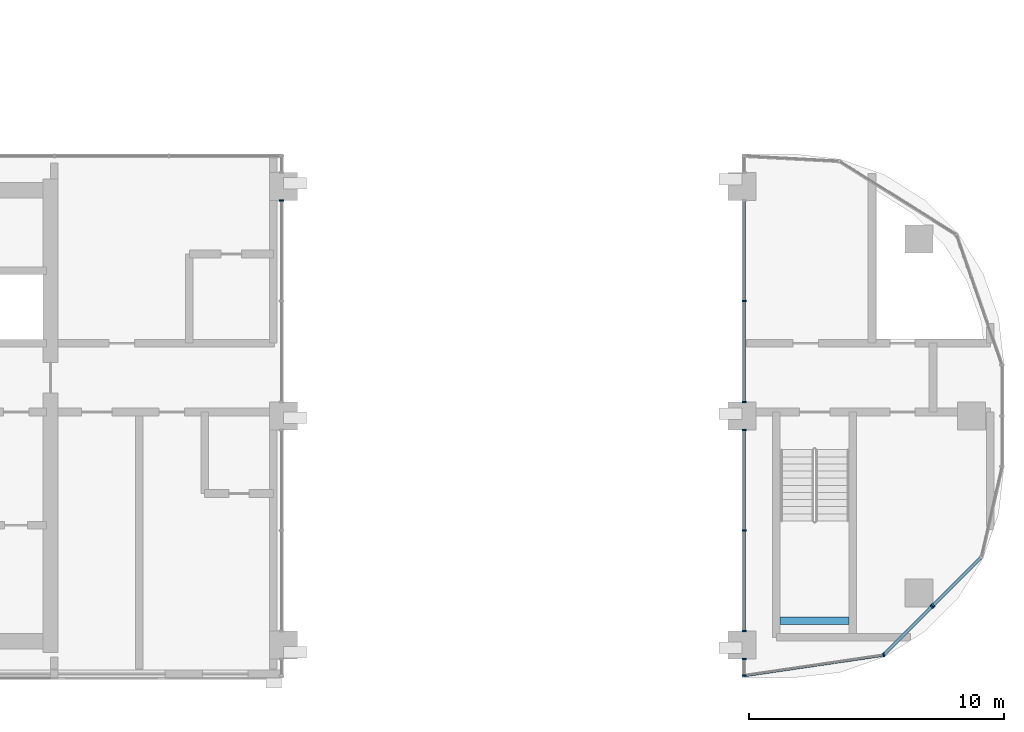
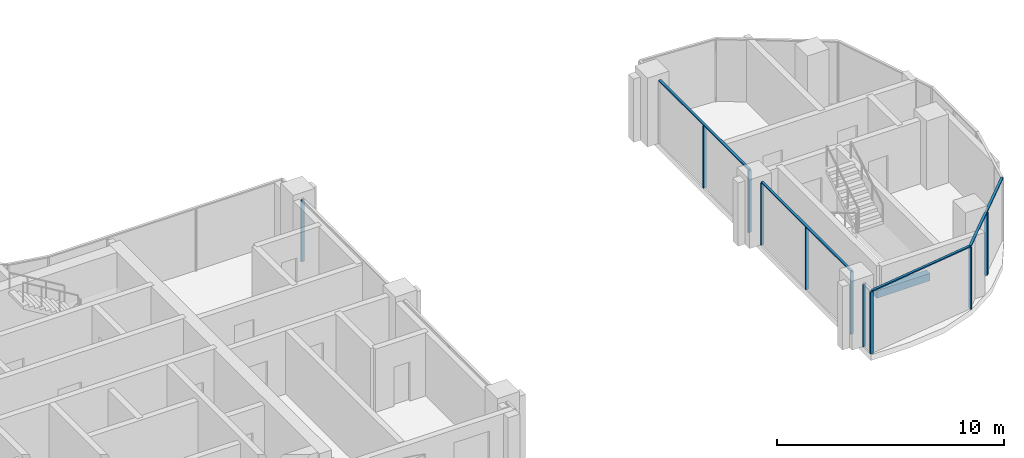
# One storey, part 3 of 23: 16 members, 1 beam, 6 elements without a shape of their own.
"""IFC4 building model written with IfcOpenShell, lengths in metres."""

import ifcopenshell
import ifcopenshell.guid

model = None  # the IFC model being written
_history = None  # IfcOwnerHistory: only IFC2X3 demands one
_inside = {}  # id of a spatial element -> (the spatial element, [elements in it])
_under = {}  # id of a project, library or spatial element -> (it, [spatial elements below it])
_declared = {}  # id of a project -> (the project, [libraries it declares])
_typed = {}  # id of a type object -> (the type object, [elements of that type])
_made_of = {}  # id of a material, layer set ... -> (it, [elements and type objects made of it])


def new_model(schema):
    """Start an empty IFC model of exactly this schema.

    Asked for "IFC4X3", IfcOpenShell would pick the latest addendum, in which some entities
    have other attributes; the version numbers below select the first issue.
    IFC2X3 requires an IfcOwnerHistory on every rooted entity: one is made here for all.
    """
    global model, _history
    if schema == "IFC4X3":
        model = ifcopenshell.file(schema_version=(4, 3, 0, 0))
    else:
        model = ifcopenshell.file(schema=schema)
    _inside.clear()
    _under.clear()
    _declared.clear()
    _typed.clear()
    _made_of.clear()
    _history = None
    if model.schema == "IFC2X3":
        org = make("IfcOrganization", Name="unknown")
        user = make(
            "IfcPersonAndOrganization",
            ThePerson=make("IfcPerson", FamilyName="unknown"),
            TheOrganization=org,
        )
        app = make(
            "IfcApplication",
            ApplicationDeveloper=org,
            Version="unknown",
            ApplicationFullName="unknown",
            ApplicationIdentifier="unknown",
        )
        _history = make(
            "IfcOwnerHistory",
            OwningUser=user,
            OwningApplication=app,
            ChangeAction="ADDED",
            CreationDate=0,
        )
    return model


def make(cls, **values):
    """One entity of the class cls with the attributes given. An attribute that is None is left unset."""
    return model.create_entity(
        cls, **{name: value for name, value in values.items() if value is not None}
    )


def rooted(cls, **values):
    """An entity with a GlobalId (a new one), such as an element, a storey or a relation."""
    return make(cls, GlobalId=ifcopenshell.guid.new(), OwnerHistory=_history, **values)


def si_unit(unit_type, name, prefix=None):
    """IfcSIUnit, for example si_unit("LENGTHUNIT", "METRE", prefix="MILLI")."""
    return make("IfcSIUnit", UnitType=unit_type, Prefix=prefix, Name=name)


def assignment(units):
    """IfcUnitAssignment: the units of a project."""
    return None if units is None else make("IfcUnitAssignment", Units=units)


def point(xyz):
    """IfcCartesianPoint."""
    return None if xyz is None else make("IfcCartesianPoint", Coordinates=xyz)


def direction(xyz):
    """IfcDirection."""
    return None if xyz is None else make("IfcDirection", DirectionRatios=xyz)


def frame(location, z_axis=None, x_axis=None):
    """IfcAxis2Placement3D, a coordinate frame: its origin and axes. An axis left out is left unset."""
    return make(
        "IfcAxis2Placement3D",
        Location=point(location),
        Axis=direction(z_axis),
        RefDirection=direction(x_axis),
    )


def frame_2d(location, x_axis=None):
    """IfcAxis2Placement2D, a coordinate frame in the plane: its origin and x axis."""
    return make(
        "IfcAxis2Placement2D", Location=point(location), RefDirection=direction(x_axis)
    )


def origin():
    """The frame at (0, 0, 0) with its axes left unset."""
    return frame((0.0, 0.0, 0.0))


def origin_2d():
    """The frame at (0, 0) in the plane with its x axis left unset."""
    return frame_2d((0.0, 0.0))


def place(relative_to, where):
    """IfcLocalPlacement: puts the frame where relative to a parent placement (None: the world)."""
    return make(
        "IfcLocalPlacement", PlacementRelTo=relative_to, RelativePlacement=where
    )


def context(
    kind, dimensions, precision=None, world=None, true_north=None, identifier=None
):
    """IfcGeometricRepresentationContext, for example the 3D "Model" context."""
    return make(
        "IfcGeometricRepresentationContext",
        ContextIdentifier=identifier,
        ContextType=kind,
        CoordinateSpaceDimension=dimensions,
        Precision=precision,
        WorldCoordinateSystem=world,
        TrueNorth=true_north,
    )


def subcontext(parent, identifier, kind, view, scale=None):
    """IfcGeometricRepresentationSubContext, for example "Body" below "Model"."""
    return make(
        "IfcGeometricRepresentationSubContext",
        ContextIdentifier=identifier,
        ContextType=kind,
        ParentContext=parent,
        TargetScale=scale,
        TargetView=view,
    )


def project(units=None, contexts=None):
    """IfcProject with its units and contexts."""
    return rooted(
        "IfcProject",
        Name="project",
        RepresentationContexts=contexts,
        UnitsInContext=assignment(units),
    )


def spatial(cls, under=None, at=None, **own):
    """A site, building, storey or space (cls), placed at a placement, below another one or the project."""
    s = rooted(cls, ObjectPlacement=at, **own)
    if under is not None:
        _under.setdefault(under.id(), (under, []))[1].append(s)
    return s


def profile(cls, at=None, kind="AREA", **sizes):
    """A parametric profile (cls). Its sizes go by their IFC names, for example OverallWidth=200.0."""
    return make(cls, ProfileType=kind, Position=at, **sizes)


def rectangle(**sizes):
    """IfcRectangleProfileDef."""
    return profile("IfcRectangleProfileDef", **sizes)


def extrude(swept, where, along, depth):
    """IfcExtrudedAreaSolid: the profile swept, set in the frame where, extruded along a direction by depth."""
    return make(
        "IfcExtrudedAreaSolid",
        SweptArea=swept,
        Position=where,
        ExtrudedDirection=direction(along),
        Depth=depth,
    )


def shape(context_of_items, identifier, shape_type, items):
    """IfcShapeRepresentation: the items that make up one representation, for example the "Body"."""
    return make(
        "IfcShapeRepresentation",
        ContextOfItems=context_of_items,
        RepresentationIdentifier=identifier,
        RepresentationType=shape_type,
        Items=items,
    )


def material(Name=None, Category=None):
    """IfcMaterial."""
    return make("IfcMaterial", Name=Name, Category=Category)


def material_profile(
    of_material, cross_section, Name=None, Category=None, Priority=None
):
    """IfcMaterialProfile: a cross section and its material."""
    return make(
        "IfcMaterialProfile",
        Name=Name,
        Material=of_material,
        Profile=cross_section,
        Priority=Priority,
        Category=Category,
    )


def profile_set(profiles, Name=None, composite=None):
    """IfcMaterialProfileSet."""
    return make(
        "IfcMaterialProfileSet",
        Name=Name,
        MaterialProfiles=profiles,
        CompositeProfile=composite,
    )


def made_of(thing, what):
    """Note that an element or type object is made of a material, layer set ...; save() writes the relation."""
    if what is not None:
        _made_of.setdefault(what.id(), (what, []))[1].append(thing)
    return thing


def type_object(cls, material=None, **own):
    """A type object (cls), such as IfcWallType, which elements share."""
    return made_of(rooted(cls, **own), material)


def element(
    cls,
    number,
    at=None,
    inside=None,
    cuts=None,
    type_object=None,
    material=None,
    context=None,
    identifier="Body",
    shape_type=None,
    held_by="IfcProductDefinitionShape",
    body=None,
    shapes=None,
    **own,
):
    """One element of the class cls, such as IfcWall. Its Tag is "e" and its number.

    at: its placement. inside: the storey or other place that contains it. cuts: it is an
    opening in that element (IfcRelVoidsElement). A single representation is given by context,
    identifier, shape_type and body (its items); several are given by shapes. held_by: the class
    of the entity that holds the representations. save() writes the other relations.
    """
    e = rooted(cls, Tag="e%d" % number, ObjectPlacement=at, **own)
    if body is not None:
        shapes = [shape(context, identifier, shape_type, body)]
    if shapes is not None:
        e.Representation = make(held_by, Representations=shapes)
    if inside is not None:
        _inside.setdefault(inside.id(), (inside, []))[1].append(e)
    if cuts is not None:
        rooted(
            "IfcRelVoidsElement", RelatingBuildingElement=cuts, RelatedOpeningElement=e
        )
    if type_object is not None:
        _typed.setdefault(type_object.id(), (type_object, []))[1].append(e)
    return made_of(e, material)


def aggregate(whole, parts):
    """IfcRelAggregates: a whole, such as a stair, and the parts it consists of."""
    return rooted("IfcRelAggregates", RelatingObject=whole, RelatedObjects=parts)


def save(model, path):
    """Write the relations noted so far, then the file.

    IfcRelAggregates (storeys below a building ...), IfcRelContainedInSpatialStructure (elements
    in a storey), IfcRelDefinesByType, IfcRelAssociatesMaterial and IfcRelDeclares: one each for
    every whole, place, type object, material and project.
    """
    for whole, parts in _under.values():
        aggregate(whole, parts)
    for where, things in _inside.values():
        rooted(
            "IfcRelContainedInSpatialStructure",
            RelatedElements=things,
            RelatingStructure=where,
        )
    for kind, things in _typed.values():
        rooted("IfcRelDefinesByType", RelatedObjects=things, RelatingType=kind)
    for what, things in _made_of.values():
        rooted("IfcRelAssociatesMaterial", RelatedObjects=things, RelatingMaterial=what)
    for by, libraries in _declared.values():
        rooted("IfcRelDeclares", RelatingContext=by, RelatedDefinitions=libraries)
    model.write(path)


model = new_model("IFC4")

# Units and contexts
model_context = context("Model", 3, precision=1e-05, world=origin(), true_north=direction((0.0, 1.0)))
body_context = subcontext(model_context, "Body", "Model", "MODEL_VIEW")
ifc_project = project(units=[si_unit("LENGTHUNIT", "METRE"), si_unit("AREAUNIT", "SQUARE_METRE"), si_unit("VOLUMEUNIT", "CUBIC_METRE"), si_unit("PLANEANGLEUNIT", "RADIAN"), si_unit("MASSUNIT", "GRAM", prefix="KILO")], contexts=[model_context])

# Site, building, storey
site_placement = place(None, origin())
site = spatial("IfcSite", under=ifc_project, at=site_placement, CompositionType="ELEMENT")
building_placement = place(site_placement, origin())
building = spatial("IfcBuilding", under=site, at=building_placement, Name="Ogive Portal Towers", CompositionType="ELEMENT")
storey_placement = place(building_placement, frame((0.0, 0.0, 164.39990234375)))
storey = spatial("IfcBuildingStorey", under=building, at=storey_placement, Name="L40", CompositionType="ELEMENT", Elevation=164.39990234375)

# Beam
ifc_material_1 = material(Name="Concrete C40/50", Category="concrete")
ifc_material_profile_1 = material_profile(ifc_material_1, rectangle(XDim=0.300048828125, YDim=0.39990234375, at=origin_2d()), Name="RC 300x400")
ifc_profile_set_1 = profile_set([ifc_material_profile_1], Name="Concrete C40/50")
beam_type = type_object("IfcBeamType", Name="BEAM RC 300x400", PredefinedType="BEAM", material=ifc_profile_set_1)
beam_placement = place(storey_placement, frame((87.0, 22.449951171875, 1.4501953125), z_axis=(1.0, 0.0, 0.0), x_axis=(0.0, 1.0, 0.0)))
element("IfcBeam", 1, at=beam_placement, inside=storey, type_object=beam_type, Name="Landing beam L40", PredefinedType="BEAM", context=body_context, shape_type="SweptSolid", body=[
    extrude(rectangle(XDim=0.300048828125, YDim=0.39990234375, at=origin_2d()), origin(), (0.0, 0.0, 1.0), 2.699951171875),
])

# Curtain wall, member
ifc_material_2 = material(Name="Glass, clear low-iron insulated glazing", Category="glass")
curtain_wall_type_1 = type_object("IfcCurtainWallType", Name="CW PORTAL REVEAL", PredefinedType="NOTDEFINED", material=ifc_material_2)
curtain_wall_1_placement = place(storey_placement, origin())
curtain_wall_1 = element("IfcCurtainWall", 2, at=curtain_wall_1_placement, inside=storey, type_object=curtain_wall_type_1, Name="A:L40:f06:cw0~2", PredefinedType="NOTDEFINED")
ifc_material_3 = material(Name="Aluminium 6063 anodised", Category="aluminium")
ifc_material_profile_2 = material_profile(ifc_material_3, rectangle(XDim=0.159912109375, YDim=0.06005859375, at=origin_2d()), Name="AL 60x160")
ifc_profile_set_2 = profile_set([ifc_material_profile_2], Name="Aluminium 6063 anodised")
member_type_1 = type_object("IfcMemberType", Name="CW MULLION 60x160", PredefinedType="MULLION", material=ifc_profile_set_2)
member_1_placement = place(storey_placement, frame((67.419921875, 38.949951171875, 0.0), z_axis=(0.0, 0.0, 1.0), x_axis=(-1.0, 0.0, 0.0)))
member_1 = element("IfcMember", 3, at=member_1_placement, type_object=member_type_1, Name="mullion", PredefinedType="MULLION", context=body_context, shape_type="SweptSolid", body=[
    extrude(rectangle(XDim=0.159912109375, YDim=0.06005859375, at=origin_2d()), origin(), (0.0, 0.0, 1.0), 3.340087890625),
])
aggregate(curtain_wall_1, [member_1])

# Curtain wall, members
curtain_wall_2_placement = place(storey_placement, origin())
curtain_wall_2 = element("IfcCurtainWall", 4, at=curtain_wall_2_placement, inside=storey, type_object=curtain_wall_type_1, Name="A:L40:f22:cw0~1", PredefinedType="NOTDEFINED")
member_2_placement = place(storey_placement, frame((85.580078125, 35.0, 0.0), z_axis=(0.0, 0.0, 1.0), x_axis=(1.0, 0.0, 0.0)))
member_2 = element("IfcMember", 5, at=member_2_placement, type_object=member_type_1, Name="mullion", PredefinedType="MULLION", context=body_context, shape_type="SweptSolid", body=[
    extrude(rectangle(XDim=0.159912109375, YDim=0.06005859375, at=origin_2d()), origin(), (0.0, 0.0, 1.0), 3.340087890625),
])
member_3_placement = place(storey_placement, frame((85.580078125, 31.050048828125, 0.0), z_axis=(0.0, 0.0, 1.0), x_axis=(1.0, 0.0, 0.0)))
member_3 = element("IfcMember", 6, at=member_3_placement, type_object=member_type_1, Name="mullion", PredefinedType="MULLION", context=body_context, shape_type="SweptSolid", body=[
    extrude(rectangle(XDim=0.159912109375, YDim=0.06005859375, at=origin_2d()), origin(), (0.0, 0.0, 1.0), 3.340087890625),
])

curtain_wall_3_placement = place(storey_placement, origin())
curtain_wall_3 = element("IfcCurtainWall", 7, at=curtain_wall_3_placement, inside=storey, type_object=curtain_wall_type_1, Name="A:L40:f22:cw0~2", PredefinedType="NOTDEFINED")
member_4_placement = place(storey_placement, frame((85.580078125, 29.949951171875, 0.0), z_axis=(0.0, 0.0, 1.0), x_axis=(1.0, 0.0, 0.0)))
member_4 = element("IfcMember", 8, at=member_4_placement, type_object=member_type_1, Name="mullion", PredefinedType="MULLION", context=body_context, shape_type="SweptSolid", body=[
    extrude(rectangle(XDim=0.159912109375, YDim=0.06005859375, at=origin_2d()), origin(), (0.0, 0.0, 1.0), 3.340087890625),
])
member_5_placement = place(storey_placement, frame((85.580078125, 26.0, 0.0), z_axis=(0.0, 0.0, 1.0), x_axis=(1.0, 0.0, 0.0)))
member_5 = element("IfcMember", 9, at=member_5_placement, type_object=member_type_1, Name="mullion", PredefinedType="MULLION", context=body_context, shape_type="SweptSolid", body=[
    extrude(rectangle(XDim=0.159912109375, YDim=0.06005859375, at=origin_2d()), origin(), (0.0, 0.0, 1.0), 3.340087890625),
])
member_6_placement = place(storey_placement, frame((85.580078125, 22.050048828125, 0.0), z_axis=(0.0, 0.0, 1.0), x_axis=(1.0, 0.0, 0.0)))
member_6 = element("IfcMember", 10, at=member_6_placement, type_object=member_type_1, Name="mullion", PredefinedType="MULLION", context=body_context, shape_type="SweptSolid", body=[
    extrude(rectangle(XDim=0.159912109375, YDim=0.06005859375, at=origin_2d()), origin(), (0.0, 0.0, 1.0), 3.340087890625),
])

curtain_wall_4_placement = place(storey_placement, origin())
curtain_wall_4 = element("IfcCurtainWall", 11, at=curtain_wall_4_placement, inside=storey, type_object=curtain_wall_type_1, Name="A:L40:f22:cw0~3", PredefinedType="NOTDEFINED")
member_7_placement = place(storey_placement, frame((85.580078125, 20.949951171875, 0.0), z_axis=(0.0, 0.0, 1.0), x_axis=(1.0, 0.0, 0.0)))
member_7 = element("IfcMember", 12, at=member_7_placement, type_object=member_type_1, Name="mullion", PredefinedType="MULLION", context=body_context, shape_type="SweptSolid", body=[
    extrude(rectangle(XDim=0.159912109375, YDim=0.06005859375, at=origin_2d()), origin(), (0.0, 0.0, 1.0), 3.340087890625),
])
member_8_placement = place(storey_placement, frame((85.580078125, 20.3076171875, 0.0), z_axis=(0.0, 0.0, 1.0), x_axis=(1.0, 0.0, 0.0)))
member_8 = element("IfcMember", 13, at=member_8_placement, type_object=member_type_1, Name="mullion", PredefinedType="MULLION", context=body_context, shape_type="SweptSolid", body=[
    extrude(rectangle(XDim=0.159912109375, YDim=0.06005859375, at=origin_2d()), origin(), (0.0, 0.0, 1.0), 3.340087890625),
])
aggregate(curtain_wall_4, [member_7, member_8])

curtain_wall_type_2 = type_object("IfcCurtainWallType", Name="CW FRONT RIBBON 4500", PredefinedType="NOTDEFINED", material=ifc_material_2)
curtain_wall_5_placement = place(storey_placement, origin())
curtain_wall_5 = element("IfcCurtainWall", 14, at=curtain_wall_5_placement, inside=storey, type_object=curtain_wall_type_2, Name="A:L40:f23:cwa~0", PredefinedType="NOTDEFINED")
member_9_placement = place(storey_placement, frame((91.056884765625, 21.11083984375, 0.0), z_axis=(0.0, 0.0, 1.0), x_axis=(-0.145099125939, 0.989417123185, 0.0)))
member_9 = element("IfcMember", 15, at=member_9_placement, type_object=member_type_1, Name="mullion", PredefinedType="MULLION", context=body_context, shape_type="SweptSolid", body=[
    extrude(rectangle(XDim=0.159912109375, YDim=0.06005859375, at=origin_2d()), origin(), (0.0, 0.0, 1.0), 3.340087890625),
])
member_10_placement = place(storey_placement, frame((92.946044921875, 23.0, 0.0), z_axis=(0.0, 0.0, 1.0), x_axis=(-0.707106781187, 0.707106781187, 0.0)))
member_10 = element("IfcMember", 16, at=member_10_placement, type_object=member_type_1, Name="mullion", PredefinedType="MULLION", context=body_context, shape_type="SweptSolid", body=[
    extrude(rectangle(XDim=0.159912109375, YDim=0.06005859375, at=origin_2d()), origin(), (0.0, 0.0, 1.0), 3.340087890625),
])

# Curtain wall, member
curtain_wall_6_placement = place(storey_placement, origin())
curtain_wall_6 = element("IfcCurtainWall", 17, at=curtain_wall_6_placement, inside=storey, type_object=curtain_wall_type_2, Name="A:L40:f23:cwa~1", PredefinedType="NOTDEFINED")
member_11_placement = place(storey_placement, frame((93.0, 23.053955078125, 0.0), z_axis=(0.0, 0.0, 1.0), x_axis=(-0.707106781187, 0.707106781187, 0.0)))
member_11 = element("IfcMember", 18, at=member_11_placement, type_object=member_type_1, Name="mullion", PredefinedType="MULLION", context=body_context, shape_type="SweptSolid", body=[
    extrude(rectangle(XDim=0.159912109375, YDim=0.06005859375, at=origin_2d()), origin(), (0.0, 0.0, 1.0), 3.340087890625),
])

# Member
ifc_material_profile_3 = material_profile(ifc_material_3, rectangle(XDim=0.1201171875, YDim=0.06005859375, at=origin_2d()), Name="AL 120x60")
ifc_profile_set_3 = profile_set([ifc_material_profile_3], Name="Aluminium 6063 anodised")
member_type_2 = type_object("IfcMemberType", Name="CW TRANSOM 60x120", PredefinedType="USERDEFINED", material=ifc_profile_set_3)
member_12_placement = place(storey_placement, frame((85.580078125, 38.949951171875, 3.3701171875), z_axis=(0.0, -1.0, 0.0), x_axis=(1.0, 0.0, 0.0)))
member_12 = element("IfcMember", 19, at=member_12_placement, type_object=member_type_2, Name="transom", ObjectType="TRANSOM", PredefinedType="USERDEFINED", context=body_context, shape_type="SweptSolid", body=[
    extrude(rectangle(XDim=0.1201171875, YDim=0.06005859375, at=origin_2d()), origin(), (0.0, 0.0, 1.0), 7.89990234375),
])

aggregate(curtain_wall_2, [member_12, member_2, member_3])

member_13_placement = place(storey_placement, frame((85.580078125, 29.949951171875, 3.3701171875), z_axis=(0.0, -1.0, 0.0), x_axis=(1.0, 0.0, 0.0)))
member_13 = element("IfcMember", 20, at=member_13_placement, type_object=member_type_2, Name="transom", ObjectType="TRANSOM", PredefinedType="USERDEFINED", context=body_context, shape_type="SweptSolid", body=[
    extrude(rectangle(XDim=0.1201171875, YDim=0.06005859375, at=origin_2d()), origin(), (0.0, 0.0, 1.0), 7.89990234375),
])

aggregate(curtain_wall_3, [member_13, member_4, member_5, member_6])

member_14_placement = place(storey_placement, frame((85.580078125, 20.3076171875, 3.3701171875), z_axis=(0.989416011901, 0.145106703479, 0.0), x_axis=(-0.145106703479, 0.989416011901, 0.0)))
member_14 = element("IfcMember", 21, at=member_14_placement, type_object=member_type_2, Name="transom", ObjectType="TRANSOM", PredefinedType="USERDEFINED", context=body_context, shape_type="SweptSolid", body=[
    extrude(rectangle(XDim=0.1201171875, YDim=0.06005859375, at=origin_2d()), origin(), (0.0, 0.0, 1.0), 5.535400390625),
])

member_15_placement = place(storey_placement, frame((91.056884765625, 21.11083984375, 3.3701171875), z_axis=(0.707106781187, 0.707106781187, 0.0), x_axis=(-0.707106781187, 0.707106781187, 0.0)))
member_15 = element("IfcMember", 22, at=member_15_placement, type_object=member_type_2, Name="transom", ObjectType="TRANSOM", PredefinedType="USERDEFINED", context=body_context, shape_type="SweptSolid", body=[
    extrude(rectangle(XDim=0.1201171875, YDim=0.06005859375, at=origin_2d()), origin(), (0.0, 0.0, 1.0), 2.671630859375),
])

aggregate(curtain_wall_5, [member_14, member_15, member_9, member_10])

member_16_placement = place(storey_placement, frame((93.0, 23.053955078125, 3.3701171875), z_axis=(0.707106781187, 0.707106781187, 0.0), x_axis=(-0.707106781187, 0.707106781187, 0.0)))
member_16 = element("IfcMember", 23, at=member_16_placement, type_object=member_type_2, Name="transom", ObjectType="TRANSOM", PredefinedType="USERDEFINED", context=body_context, shape_type="SweptSolid", body=[
    extrude(rectangle(XDim=0.1201171875, YDim=0.06005859375, at=origin_2d()), origin(), (0.0, 0.0, 1.0), 2.675048828125),
])

aggregate(curtain_wall_6, [member_16, member_11])

save(model, "model.ifc")
